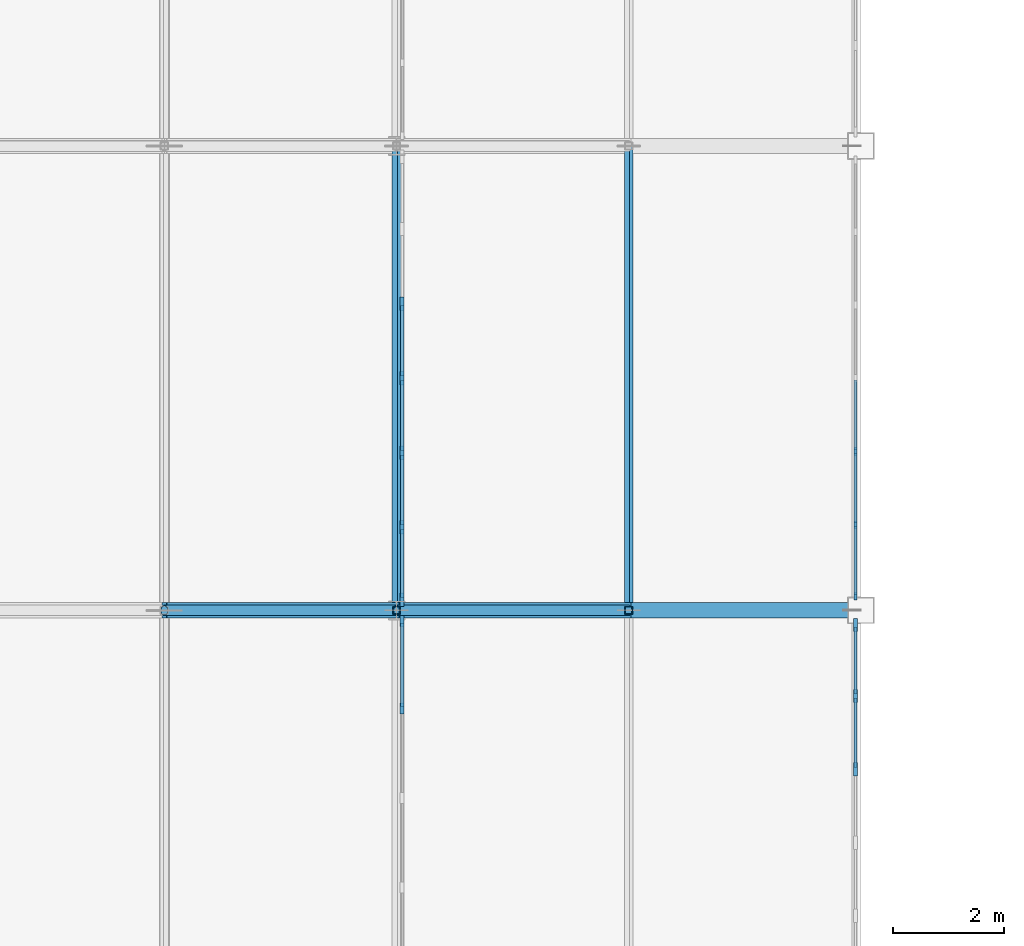
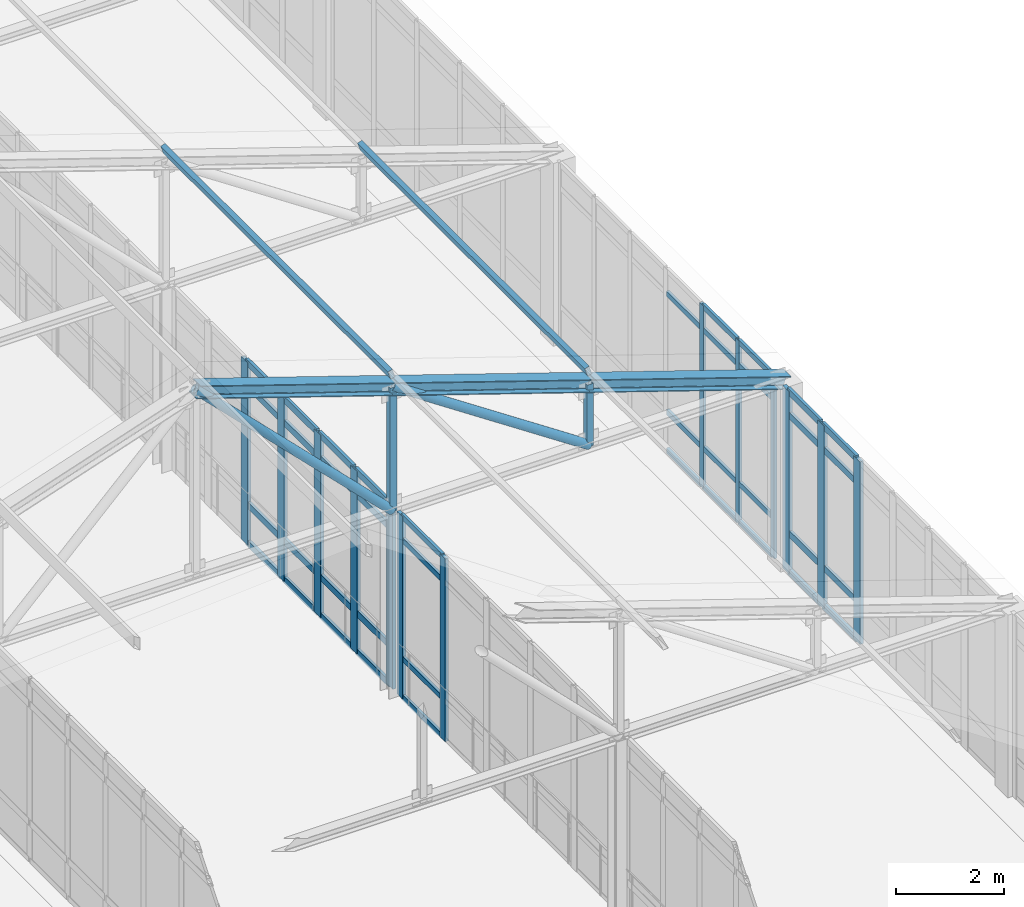
# One storey, part 65 of 192: 61 members, 4 elements without a shape of their own.
"""IFC4 building model written with IfcOpenShell, lengths in metres."""

import ifcopenshell
import ifcopenshell.guid

model = None  # the IFC model being written
_history = None  # IfcOwnerHistory: only IFC2X3 demands one
_inside = {}  # id of a spatial element -> (the spatial element, [elements in it])
_under = {}  # id of a project, library or spatial element -> (it, [spatial elements below it])
_declared = {}  # id of a project -> (the project, [libraries it declares])
_typed = {}  # id of a type object -> (the type object, [elements of that type])
_made_of = {}  # id of a material, layer set ... -> (it, [elements and type objects made of it])


def new_model(schema):
    """Start an empty IFC model of exactly this schema.

    Asked for "IFC4X3", IfcOpenShell would pick the latest addendum, in which some entities
    have other attributes; the version numbers below select the first issue.
    IFC2X3 requires an IfcOwnerHistory on every rooted entity: one is made here for all.
    """
    global model, _history
    if schema == "IFC4X3":
        model = ifcopenshell.file(schema_version=(4, 3, 0, 0))
    else:
        model = ifcopenshell.file(schema=schema)
    _inside.clear()
    _under.clear()
    _declared.clear()
    _typed.clear()
    _made_of.clear()
    _history = None
    if model.schema == "IFC2X3":
        org = make("IfcOrganization", Name="unknown")
        user = make(
            "IfcPersonAndOrganization",
            ThePerson=make("IfcPerson", FamilyName="unknown"),
            TheOrganization=org,
        )
        app = make(
            "IfcApplication",
            ApplicationDeveloper=org,
            Version="unknown",
            ApplicationFullName="unknown",
            ApplicationIdentifier="unknown",
        )
        _history = make(
            "IfcOwnerHistory",
            OwningUser=user,
            OwningApplication=app,
            ChangeAction="ADDED",
            CreationDate=0,
        )
    return model


def make(cls, **values):
    """One entity of the class cls with the attributes given. An attribute that is None is left unset."""
    return model.create_entity(
        cls, **{name: value for name, value in values.items() if value is not None}
    )


def rooted(cls, **values):
    """An entity with a GlobalId (a new one), such as an element, a storey or a relation."""
    return make(cls, GlobalId=ifcopenshell.guid.new(), OwnerHistory=_history, **values)


def si_unit(unit_type, name, prefix=None):
    """IfcSIUnit, for example si_unit("LENGTHUNIT", "METRE", prefix="MILLI")."""
    return make("IfcSIUnit", UnitType=unit_type, Prefix=prefix, Name=name)


def assignment(units):
    """IfcUnitAssignment: the units of a project."""
    return None if units is None else make("IfcUnitAssignment", Units=units)


def point(xyz):
    """IfcCartesianPoint."""
    return None if xyz is None else make("IfcCartesianPoint", Coordinates=xyz)


def direction(xyz):
    """IfcDirection."""
    return None if xyz is None else make("IfcDirection", DirectionRatios=xyz)


def frame(location, z_axis=None, x_axis=None):
    """IfcAxis2Placement3D, a coordinate frame: its origin and axes. An axis left out is left unset."""
    return make(
        "IfcAxis2Placement3D",
        Location=point(location),
        Axis=direction(z_axis),
        RefDirection=direction(x_axis),
    )


def frame_2d(location, x_axis=None):
    """IfcAxis2Placement2D, a coordinate frame in the plane: its origin and x axis."""
    return make(
        "IfcAxis2Placement2D", Location=point(location), RefDirection=direction(x_axis)
    )


def origin():
    """The frame at (0, 0, 0) with its axes left unset."""
    return frame((0.0, 0.0, 0.0))


def origin_2d():
    """The frame at (0, 0) in the plane with its x axis left unset."""
    return frame_2d((0.0, 0.0))


def place(relative_to, where):
    """IfcLocalPlacement: puts the frame where relative to a parent placement (None: the world)."""
    return make(
        "IfcLocalPlacement", PlacementRelTo=relative_to, RelativePlacement=where
    )


def context(
    kind, dimensions, precision=None, world=None, true_north=None, identifier=None
):
    """IfcGeometricRepresentationContext, for example the 3D "Model" context."""
    return make(
        "IfcGeometricRepresentationContext",
        ContextIdentifier=identifier,
        ContextType=kind,
        CoordinateSpaceDimension=dimensions,
        Precision=precision,
        WorldCoordinateSystem=world,
        TrueNorth=true_north,
    )


def subcontext(parent, identifier, kind, view, scale=None):
    """IfcGeometricRepresentationSubContext, for example "Body" below "Model"."""
    return make(
        "IfcGeometricRepresentationSubContext",
        ContextIdentifier=identifier,
        ContextType=kind,
        ParentContext=parent,
        TargetScale=scale,
        TargetView=view,
    )


def project(units=None, contexts=None):
    """IfcProject with its units and contexts."""
    return rooted(
        "IfcProject",
        Name="project",
        RepresentationContexts=contexts,
        UnitsInContext=assignment(units),
    )


def spatial(cls, under=None, at=None, **own):
    """A site, building, storey or space (cls), placed at a placement, below another one or the project."""
    s = rooted(cls, ObjectPlacement=at, **own)
    if under is not None:
        _under.setdefault(under.id(), (under, []))[1].append(s)
    return s


def profile(cls, at=None, kind="AREA", **sizes):
    """A parametric profile (cls). Its sizes go by their IFC names, for example OverallWidth=200.0."""
    return make(cls, ProfileType=kind, Position=at, **sizes)


def rectangle(**sizes):
    """IfcRectangleProfileDef."""
    return profile("IfcRectangleProfileDef", **sizes)


def hollow_rectangle(**sizes):
    """IfcRectangleHollowProfileDef."""
    return profile("IfcRectangleHollowProfileDef", **sizes)


def hollow_circle(**sizes):
    """IfcCircleHollowProfileDef."""
    return profile("IfcCircleHollowProfileDef", **sizes)


def i_section(**sizes):
    """IfcIShapeProfileDef."""
    return profile("IfcIShapeProfileDef", **sizes)


def extrude(swept, where, along, depth):
    """IfcExtrudedAreaSolid: the profile swept, set in the frame where, extruded along a direction by depth."""
    return make(
        "IfcExtrudedAreaSolid",
        SweptArea=swept,
        Position=where,
        ExtrudedDirection=direction(along),
        Depth=depth,
    )


def shape(context_of_items, identifier, shape_type, items):
    """IfcShapeRepresentation: the items that make up one representation, for example the "Body"."""
    return make(
        "IfcShapeRepresentation",
        ContextOfItems=context_of_items,
        RepresentationIdentifier=identifier,
        RepresentationType=shape_type,
        Items=items,
    )


def material(Name=None, Category=None):
    """IfcMaterial."""
    return make("IfcMaterial", Name=Name, Category=Category)


def layer(
    of_material, thickness, ventilated=None, Name=None, Category=None, Priority=None
):
    """IfcMaterialLayer: one layer of a wall or slab, of a material (None: an air gap)."""
    return make(
        "IfcMaterialLayer",
        Material=of_material,
        LayerThickness=thickness,
        IsVentilated=ventilated,
        Name=Name,
        Category=Category,
        Priority=Priority,
    )


def layer_set(layers, Name=None):
    """IfcMaterialLayerSet."""
    return make("IfcMaterialLayerSet", MaterialLayers=layers, LayerSetName=Name)


def material_profile(
    of_material, cross_section, Name=None, Category=None, Priority=None
):
    """IfcMaterialProfile: a cross section and its material."""
    return make(
        "IfcMaterialProfile",
        Name=Name,
        Material=of_material,
        Profile=cross_section,
        Priority=Priority,
        Category=Category,
    )


def profile_set(profiles, Name=None, composite=None):
    """IfcMaterialProfileSet."""
    return make(
        "IfcMaterialProfileSet",
        Name=Name,
        MaterialProfiles=profiles,
        CompositeProfile=composite,
    )


def made_of(thing, what):
    """Note that an element or type object is made of a material, layer set ...; save() writes the relation."""
    if what is not None:
        _made_of.setdefault(what.id(), (what, []))[1].append(thing)
    return thing


def type_object(cls, material=None, **own):
    """A type object (cls), such as IfcWallType, which elements share."""
    return made_of(rooted(cls, **own), material)


def element(
    cls,
    number,
    at=None,
    inside=None,
    cuts=None,
    type_object=None,
    material=None,
    context=None,
    identifier="Body",
    shape_type=None,
    held_by="IfcProductDefinitionShape",
    body=None,
    shapes=None,
    **own,
):
    """One element of the class cls, such as IfcWall. Its Tag is "e" and its number.

    at: its placement. inside: the storey or other place that contains it. cuts: it is an
    opening in that element (IfcRelVoidsElement). A single representation is given by context,
    identifier, shape_type and body (its items); several are given by shapes. held_by: the class
    of the entity that holds the representations. save() writes the other relations.
    """
    e = rooted(cls, Tag="e%d" % number, ObjectPlacement=at, **own)
    if body is not None:
        shapes = [shape(context, identifier, shape_type, body)]
    if shapes is not None:
        e.Representation = make(held_by, Representations=shapes)
    if inside is not None:
        _inside.setdefault(inside.id(), (inside, []))[1].append(e)
    if cuts is not None:
        rooted(
            "IfcRelVoidsElement", RelatingBuildingElement=cuts, RelatedOpeningElement=e
        )
    if type_object is not None:
        _typed.setdefault(type_object.id(), (type_object, []))[1].append(e)
    return made_of(e, material)


def aggregate(whole, parts):
    """IfcRelAggregates: a whole, such as a stair, and the parts it consists of."""
    return rooted("IfcRelAggregates", RelatingObject=whole, RelatedObjects=parts)


def save(model, path):
    """Write the relations noted so far, then the file.

    IfcRelAggregates (storeys below a building ...), IfcRelContainedInSpatialStructure (elements
    in a storey), IfcRelDefinesByType, IfcRelAssociatesMaterial and IfcRelDeclares: one each for
    every whole, place, type object, material and project.
    """
    for whole, parts in _under.values():
        aggregate(whole, parts)
    for where, things in _inside.values():
        rooted(
            "IfcRelContainedInSpatialStructure",
            RelatedElements=things,
            RelatingStructure=where,
        )
    for kind, things in _typed.values():
        rooted("IfcRelDefinesByType", RelatedObjects=things, RelatingType=kind)
    for what, things in _made_of.values():
        rooted("IfcRelAssociatesMaterial", RelatedObjects=things, RelatingMaterial=what)
    for by, libraries in _declared.values():
        rooted("IfcRelDeclares", RelatingContext=by, RelatedDefinitions=libraries)
    model.write(path)


model = new_model("IFC4")

# Units and contexts
model_context = context("Model", 3, precision=1e-05, world=origin(), true_north=direction((0.0, 1.0)))
body_context = subcontext(model_context, "Body", "Model", "MODEL_VIEW")
ifc_project = project(units=[si_unit("LENGTHUNIT", "METRE"), si_unit("AREAUNIT", "SQUARE_METRE"), si_unit("VOLUMEUNIT", "CUBIC_METRE"), si_unit("PLANEANGLEUNIT", "RADIAN"), si_unit("MASSUNIT", "GRAM", prefix="KILO")], contexts=[model_context])

# Site, building, storey
site_placement = place(None, origin())
site = spatial("IfcSite", under=ifc_project, at=site_placement, CompositionType="ELEMENT")
building_placement = place(site_placement, origin())
building = spatial("IfcBuilding", under=site, at=building_placement, Name="Kveldsbrygga Polytechnic", CompositionType="ELEMENT")
storey_placement = place(building_placement, frame((0.0, 0.0, 5.43994140625)))
storey = spatial("IfcBuildingStorey", under=building, at=storey_placement, Name="L01", CompositionType="ELEMENT", Elevation=5.43994140625)

# Curtain wall, members
ifc_material_1 = material(Name="Anodised aluminium AW-6060", Category="aluminium")
ifc_layer_1 = layer(ifc_material_1, 0.179931640625)
ifc_layer_set_1 = layer_set([ifc_layer_1], Name="Anodised aluminium AW-6060")
curtain_wall_type_1 = type_object("IfcCurtainWallType", Name="CW-CONC-A", PredefinedType="USERDEFINED", material=ifc_layer_set_1)
curtain_wall_1_placement = place(storey_placement, origin())
curtain_wall_1 = element("IfcCurtainWall", 1, at=curtain_wall_1_placement, inside=storey, type_object=curtain_wall_type_1, Name="Curtain Wall CW-L01-Y-09-05", ObjectType="UNITISED CURTAIN WALL", PredefinedType="USERDEFINED")
ifc_material_profile_1 = material_profile(ifc_material_1, rectangle(XDim=0.06005859375, YDim=0.139892578125, at=origin_2d()), Name="ALU 60x140")
ifc_profile_set_1 = profile_set([ifc_material_profile_1], Name="Anodised aluminium AW-6060")
member_type_1 = type_object("IfcMemberType", Name="CW-MUL-140", PredefinedType="MULLION", material=ifc_profile_set_1)
member_1_placement = place(storey_placement, frame((75.5, 42.2548828125, 0.0), z_axis=(0.0, 0.0, 1.0), x_axis=(-1.0, 0.0, 0.0)))
member_1 = element("IfcMember", 2, at=member_1_placement, type_object=member_type_1, Name="CW-01 mullion 1", PredefinedType="MULLION", context=body_context, shape_type="SweptSolid", body=[
    extrude(rectangle(XDim=0.06005859375, YDim=0.139892578125, at=origin_2d()), origin(), (0.0, 0.0, 1.0), 4.1201171875),
])
member_2_placement = place(storey_placement, frame((75.5, 43.550048828125, 0.0), z_axis=(0.0, 0.0, 1.0), x_axis=(-1.0, 0.0, 0.0)))
member_2 = element("IfcMember", 3, at=member_2_placement, type_object=member_type_1, Name="CW-01 mullion 2", PredefinedType="MULLION", context=body_context, shape_type="SweptSolid", body=[
    extrude(rectangle(XDim=0.06005859375, YDim=0.139892578125, at=origin_2d()), origin(), (0.0, 0.0, 1.0), 4.1201171875),
])
member_3_placement = place(storey_placement, frame((75.5, 44.875, 0.0), z_axis=(0.0, 0.0, 1.0), x_axis=(-1.0, 0.0, 0.0)))
member_3 = element("IfcMember", 4, at=member_3_placement, type_object=member_type_1, Name="CW-01 mullion 3", PredefinedType="MULLION", context=body_context, shape_type="SweptSolid", body=[
    extrude(rectangle(XDim=0.06005859375, YDim=0.139892578125, at=origin_2d()), origin(), (0.0, 0.0, 1.0), 4.1201171875),
])

ifc_layer_2 = layer(ifc_material_1, 0.18994140625)
ifc_layer_set_2 = layer_set([ifc_layer_2], Name="Anodised aluminium AW-6060")
curtain_wall_type_2 = type_object("IfcCurtainWallType", Name="CW-REFC-G", PredefinedType="USERDEFINED", material=ifc_layer_set_2)
curtain_wall_2_placement = place(storey_placement, origin())
curtain_wall_2 = element("IfcCurtainWall", 5, at=curtain_wall_2_placement, inside=storey, type_object=curtain_wall_type_2, Name="Curtain Wall CW-L01-Y-08-04", ObjectType="UNITISED CURTAIN WALL", PredefinedType="USERDEFINED")
ifc_material_profile_2 = material_profile(ifc_material_1, rectangle(XDim=0.074951171875, YDim=0.199951171875, at=origin_2d()), Name="ALU 75x200")
ifc_profile_set_2 = profile_set([ifc_material_profile_2], Name="Anodised aluminium AW-6060")
member_type_2 = type_object("IfcMemberType", Name="CW-MUL-200", PredefinedType="MULLION", material=ifc_profile_set_2)
member_4_placement = place(storey_placement, frame((67.300048828125, 40.22705078125, 0.0), z_axis=(0.0, 0.0, 1.0), x_axis=(-1.0, 0.0, 0.0)))
member_4 = element("IfcMember", 6, at=member_4_placement, type_object=member_type_2, Name="CW-07 mullion 5", PredefinedType="MULLION", context=body_context, shape_type="SweptSolid", body=[
    extrude(rectangle(XDim=0.074951171875, YDim=0.199951171875, at=origin_2d()), origin(), (0.0, 0.0, 1.0), 4.1201171875),
])
member_5_placement = place(storey_placement, frame((67.300048828125, 41.8076171875, 0.0), z_axis=(0.0, 0.0, 1.0), x_axis=(-1.0, 0.0, 0.0)))
member_5 = element("IfcMember", 7, at=member_5_placement, type_object=member_type_2, Name="CW-07 mullion 6", PredefinedType="MULLION", context=body_context, shape_type="SweptSolid", body=[
    extrude(rectangle(XDim=0.074951171875, YDim=0.199951171875, at=origin_2d()), origin(), (0.0, 0.0, 1.0), 4.1201171875),
])

ifc_layer_3 = layer(ifc_material_1, 0.2099609375)
ifc_layer_set_3 = layer_set([ifc_layer_3], Name="Anodised aluminium AW-6060")
curtain_wall_type_3 = type_object("IfcCurtainWallType", Name="CW-LIBR-H", PredefinedType="USERDEFINED", material=ifc_layer_set_3)
curtain_wall_3_placement = place(storey_placement, origin())
curtain_wall_3 = element("IfcCurtainWall", 8, at=curtain_wall_3_placement, inside=storey, type_object=curtain_wall_type_3, Name="Curtain Wall CW-L01-Y-09-04", ObjectType="UNITISED CURTAIN WALL", PredefinedType="USERDEFINED")
ifc_material_profile_3 = material_profile(ifc_material_1, rectangle(XDim=0.074951171875, YDim=0.239990234375, at=origin_2d()), Name="ALU 75x240")
ifc_profile_set_3 = profile_set([ifc_material_profile_3], Name="Anodised aluminium AW-6060")
member_type_3 = type_object("IfcMemberType", Name="CW-MUL-240", PredefinedType="MULLION", material=ifc_profile_set_3)
member_6_placement = place(storey_placement, frame((75.5, 39.125, 0.0), z_axis=(0.0, 0.0, 1.0), x_axis=(-1.0, 0.0, 0.0)))
member_6 = element("IfcMember", 9, at=member_6_placement, type_object=member_type_3, Name="CW-08 mullion 5", PredefinedType="MULLION", context=body_context, shape_type="SweptSolid", body=[
    extrude(rectangle(XDim=0.074951171875, YDim=0.239990234375, at=origin_2d()), origin(), (0.0, 0.0, 1.0), 4.1201171875),
])
member_7_placement = place(storey_placement, frame((75.5, 40.449951171875, 0.0), z_axis=(0.0, 0.0, 1.0), x_axis=(-1.0, 0.0, 0.0)))
member_7 = element("IfcMember", 10, at=member_7_placement, type_object=member_type_3, Name="CW-08 mullion 6", PredefinedType="MULLION", context=body_context, shape_type="SweptSolid", body=[
    extrude(rectangle(XDim=0.074951171875, YDim=0.239990234375, at=origin_2d()), origin(), (0.0, 0.0, 1.0), 4.1201171875),
])
member_8_placement = place(storey_placement, frame((75.5, 41.737548828125, 0.0), z_axis=(0.0, 0.0, 1.0), x_axis=(-1.0, 0.0, 0.0)))
member_8 = element("IfcMember", 11, at=member_8_placement, type_object=member_type_3, Name="CW-08 mullion 7", PredefinedType="MULLION", context=body_context, shape_type="SweptSolid", body=[
    extrude(rectangle(XDim=0.074951171875, YDim=0.239990234375, at=origin_2d()), origin(), (0.0, 0.0, 1.0), 4.1201171875),
])

curtain_wall_4_placement = place(storey_placement, origin())
curtain_wall_4 = element("IfcCurtainWall", 12, at=curtain_wall_4_placement, inside=storey, type_object=curtain_wall_type_3, Name="Curtain Wall CW-L01-Y-08-05", ObjectType="UNITISED CURTAIN WALL", PredefinedType="USERDEFINED")
member_9_placement = place(storey_placement, frame((67.300048828125, 42.1923828125, 0.0), z_axis=(0.0, 0.0, 1.0), x_axis=(-1.0, 0.0, 0.0)))
member_9 = element("IfcMember", 13, at=member_9_placement, type_object=member_type_3, Name="CW-08 mullion 1", PredefinedType="MULLION", context=body_context, shape_type="SweptSolid", body=[
    extrude(rectangle(XDim=0.074951171875, YDim=0.239990234375, at=origin_2d()), origin(), (0.0, 0.0, 1.0), 4.1201171875),
])
member_10_placement = place(storey_placement, frame((67.300048828125, 43.50341796875, 0.0), z_axis=(0.0, 0.0, 1.0), x_axis=(-1.0, 0.0, 0.0)))
member_10 = element("IfcMember", 14, at=member_10_placement, type_object=member_type_3, Name="CW-08 mullion 2", PredefinedType="MULLION", context=body_context, shape_type="SweptSolid", body=[
    extrude(rectangle(XDim=0.074951171875, YDim=0.239990234375, at=origin_2d()), origin(), (0.0, 0.0, 1.0), 4.1201171875),
])
member_11_placement = place(storey_placement, frame((67.300048828125, 44.8515625, 0.0), z_axis=(0.0, 0.0, 1.0), x_axis=(-1.0, 0.0, 0.0)))
member_11 = element("IfcMember", 15, at=member_11_placement, type_object=member_type_3, Name="CW-08 mullion 3", PredefinedType="MULLION", context=body_context, shape_type="SweptSolid", body=[
    extrude(rectangle(XDim=0.074951171875, YDim=0.239990234375, at=origin_2d()), origin(), (0.0, 0.0, 1.0), 4.1201171875),
])
member_12_placement = place(storey_placement, frame((67.300048828125, 46.199951171875, 0.0), z_axis=(0.0, 0.0, 1.0), x_axis=(-1.0, 0.0, 0.0)))
member_12 = element("IfcMember", 16, at=member_12_placement, type_object=member_type_3, Name="CW-08 mullion 4", PredefinedType="MULLION", context=body_context, shape_type="SweptSolid", body=[
    extrude(rectangle(XDim=0.074951171875, YDim=0.239990234375, at=origin_2d()), origin(), (0.0, 0.0, 1.0), 4.1201171875),
])
member_13_placement = place(storey_placement, frame((67.300048828125, 47.54833984375, 0.0), z_axis=(0.0, 0.0, 1.0), x_axis=(-1.0, 0.0, 0.0)))
member_13 = element("IfcMember", 17, at=member_13_placement, type_object=member_type_3, Name="CW-08 mullion 5", PredefinedType="MULLION", context=body_context, shape_type="SweptSolid", body=[
    extrude(rectangle(XDim=0.074951171875, YDim=0.239990234375, at=origin_2d()), origin(), (0.0, 0.0, 1.0), 4.1201171875),
])

# Member
ifc_material_profile_4 = material_profile(ifc_material_1, rectangle(XDim=0.06005859375, YDim=0.1201171875, at=origin_2d()), Name="ALU 60x120")
ifc_profile_set_4 = profile_set([ifc_material_profile_4], Name="Anodised aluminium AW-6060")
member_type_4 = type_object("IfcMemberType", Name="CW-TRN-120", PredefinedType="USERDEFINED", material=ifc_profile_set_4)
member_14_placement = place(storey_placement, frame((67.300048828125, 40.264404296875, 0.030029296875), z_axis=(0.0, 1.0, 0.0), x_axis=(-1.0, 0.0, 0.0)))
member_14 = element("IfcMember", 18, at=member_14_placement, type_object=member_type_4, Name="CW-07 transom 5.1", ObjectType="TRANSOM", PredefinedType="USERDEFINED", context=body_context, shape_type="SweptSolid", body=[
    extrude(rectangle(XDim=0.06005859375, YDim=0.1201171875, at=origin_2d()), origin(), (0.0, 0.0, 1.0), 1.505615234375),
])

member_15_placement = place(storey_placement, frame((67.300048828125, 40.264404296875, 0.900146484375), z_axis=(0.0, 1.0, 0.0), x_axis=(-1.0, 0.0, 0.0)))
member_15 = element("IfcMember", 19, at=member_15_placement, type_object=member_type_4, Name="CW-07 transom 5.2", ObjectType="TRANSOM", PredefinedType="USERDEFINED", context=body_context, shape_type="SweptSolid", body=[
    extrude(rectangle(XDim=0.06005859375, YDim=0.1201171875, at=origin_2d()), origin(), (0.0, 0.0, 1.0), 1.505615234375),
])

member_16_placement = place(storey_placement, frame((67.300048828125, 40.264404296875, 3.570068359375), z_axis=(0.0, 1.0, 0.0), x_axis=(-1.0, 0.0, 0.0)))
member_16 = element("IfcMember", 20, at=member_16_placement, type_object=member_type_4, Name="CW-07 transom 5.3", ObjectType="TRANSOM", PredefinedType="USERDEFINED", context=body_context, shape_type="SweptSolid", body=[
    extrude(rectangle(XDim=0.06005859375, YDim=0.1201171875, at=origin_2d()), origin(), (0.0, 0.0, 1.0), 1.505615234375),
])

member_17_placement = place(storey_placement, frame((67.300048828125, 40.264404296875, 4.090087890625), z_axis=(0.0, 1.0, 0.0), x_axis=(-1.0, 0.0, 0.0)))
member_17 = element("IfcMember", 21, at=member_17_placement, type_object=member_type_4, Name="CW-07 transom 5.4", ObjectType="TRANSOM", PredefinedType="USERDEFINED", context=body_context, shape_type="SweptSolid", body=[
    extrude(rectangle(XDim=0.06005859375, YDim=0.1201171875, at=origin_2d()), origin(), (0.0, 0.0, 1.0), 1.505615234375),
])

aggregate(curtain_wall_2, [member_4, member_5, member_14, member_15, member_16, member_17])

member_18_placement = place(storey_placement, frame((75.5, 42.284912109375, 0.030029296875), z_axis=(0.0, 1.0, 0.0), x_axis=(-1.0, 0.0, 0.0)))
member_18 = element("IfcMember", 22, at=member_18_placement, type_object=member_type_4, Name="CW-01 transom 1.1", ObjectType="TRANSOM", PredefinedType="USERDEFINED", context=body_context, shape_type="SweptSolid", body=[
    extrude(rectangle(XDim=0.06005859375, YDim=0.1201171875, at=origin_2d()), origin(), (0.0, 0.0, 1.0), 1.235107421875),
])

member_19_placement = place(storey_placement, frame((75.5, 42.284912109375, 0.900146484375), z_axis=(0.0, 1.0, 0.0), x_axis=(-1.0, 0.0, 0.0)))
member_19 = element("IfcMember", 23, at=member_19_placement, type_object=member_type_4, Name="CW-01 transom 1.2", ObjectType="TRANSOM", PredefinedType="USERDEFINED", context=body_context, shape_type="SweptSolid", body=[
    extrude(rectangle(XDim=0.06005859375, YDim=0.1201171875, at=origin_2d()), origin(), (0.0, 0.0, 1.0), 1.235107421875),
])

member_20_placement = place(storey_placement, frame((75.5, 42.284912109375, 3.570068359375), z_axis=(0.0, 1.0, 0.0), x_axis=(-1.0, 0.0, 0.0)))
member_20 = element("IfcMember", 24, at=member_20_placement, type_object=member_type_4, Name="CW-01 transom 1.3", ObjectType="TRANSOM", PredefinedType="USERDEFINED", context=body_context, shape_type="SweptSolid", body=[
    extrude(rectangle(XDim=0.06005859375, YDim=0.1201171875, at=origin_2d()), origin(), (0.0, 0.0, 1.0), 1.235107421875),
])

member_21_placement = place(storey_placement, frame((75.5, 42.284912109375, 4.090087890625), z_axis=(0.0, 1.0, 0.0), x_axis=(-1.0, 0.0, 0.0)))
member_21 = element("IfcMember", 25, at=member_21_placement, type_object=member_type_4, Name="CW-01 transom 1.4", ObjectType="TRANSOM", PredefinedType="USERDEFINED", context=body_context, shape_type="SweptSolid", body=[
    extrude(rectangle(XDim=0.06005859375, YDim=0.1201171875, at=origin_2d()), origin(), (0.0, 0.0, 1.0), 1.235107421875),
])

member_22_placement = place(storey_placement, frame((75.5, 43.580078125, 0.030029296875), z_axis=(0.0, 1.0, 0.0), x_axis=(-1.0, 0.0, 0.0)))
member_22 = element("IfcMember", 26, at=member_22_placement, type_object=member_type_4, Name="CW-01 transom 2.1", ObjectType="TRANSOM", PredefinedType="USERDEFINED", context=body_context, shape_type="SweptSolid", body=[
    extrude(rectangle(XDim=0.06005859375, YDim=0.1201171875, at=origin_2d()), origin(), (0.0, 0.0, 1.0), 1.264892578125),
])

member_23_placement = place(storey_placement, frame((75.5, 43.580078125, 0.900146484375), z_axis=(0.0, 1.0, 0.0), x_axis=(-1.0, 0.0, 0.0)))
member_23 = element("IfcMember", 27, at=member_23_placement, type_object=member_type_4, Name="CW-01 transom 2.2", ObjectType="TRANSOM", PredefinedType="USERDEFINED", context=body_context, shape_type="SweptSolid", body=[
    extrude(rectangle(XDim=0.06005859375, YDim=0.1201171875, at=origin_2d()), origin(), (0.0, 0.0, 1.0), 1.264892578125),
])

member_24_placement = place(storey_placement, frame((75.5, 43.580078125, 3.570068359375), z_axis=(0.0, 1.0, 0.0), x_axis=(-1.0, 0.0, 0.0)))
member_24 = element("IfcMember", 28, at=member_24_placement, type_object=member_type_4, Name="CW-01 transom 2.3", ObjectType="TRANSOM", PredefinedType="USERDEFINED", context=body_context, shape_type="SweptSolid", body=[
    extrude(rectangle(XDim=0.06005859375, YDim=0.1201171875, at=origin_2d()), origin(), (0.0, 0.0, 1.0), 1.264892578125),
])

member_25_placement = place(storey_placement, frame((75.5, 43.580078125, 4.090087890625), z_axis=(0.0, 1.0, 0.0), x_axis=(-1.0, 0.0, 0.0)))
member_25 = element("IfcMember", 29, at=member_25_placement, type_object=member_type_4, Name="CW-01 transom 2.4", ObjectType="TRANSOM", PredefinedType="USERDEFINED", context=body_context, shape_type="SweptSolid", body=[
    extrude(rectangle(XDim=0.06005859375, YDim=0.1201171875, at=origin_2d()), origin(), (0.0, 0.0, 1.0), 1.264892578125),
])

member_26_placement = place(storey_placement, frame((75.5, 44.905029296875, 0.030029296875), z_axis=(0.0, 1.0, 0.0), x_axis=(-1.0, 0.0, 0.0)))
member_26 = element("IfcMember", 30, at=member_26_placement, type_object=member_type_4, Name="CW-01 transom 3.1", ObjectType="TRANSOM", PredefinedType="USERDEFINED", context=body_context, shape_type="SweptSolid", body=[
    extrude(rectangle(XDim=0.06005859375, YDim=0.1201171875, at=origin_2d()), origin(), (0.0, 0.0, 1.0), 1.264892578125),
])

member_27_placement = place(storey_placement, frame((75.5, 44.905029296875, 0.900146484375), z_axis=(0.0, 1.0, 0.0), x_axis=(-1.0, 0.0, 0.0)))
member_27 = element("IfcMember", 31, at=member_27_placement, type_object=member_type_4, Name="CW-01 transom 3.2", ObjectType="TRANSOM", PredefinedType="USERDEFINED", context=body_context, shape_type="SweptSolid", body=[
    extrude(rectangle(XDim=0.06005859375, YDim=0.1201171875, at=origin_2d()), origin(), (0.0, 0.0, 1.0), 1.264892578125),
])

member_28_placement = place(storey_placement, frame((75.5, 44.905029296875, 3.570068359375), z_axis=(0.0, 1.0, 0.0), x_axis=(-1.0, 0.0, 0.0)))
member_28 = element("IfcMember", 32, at=member_28_placement, type_object=member_type_4, Name="CW-01 transom 3.3", ObjectType="TRANSOM", PredefinedType="USERDEFINED", context=body_context, shape_type="SweptSolid", body=[
    extrude(rectangle(XDim=0.06005859375, YDim=0.1201171875, at=origin_2d()), origin(), (0.0, 0.0, 1.0), 1.264892578125),
])

aggregate(curtain_wall_1, [member_1, member_2, member_3, member_18, member_19, member_20, member_21, member_22, member_23, member_24, member_25, member_26, member_27, member_28])

ifc_material_profile_5 = material_profile(ifc_material_1, rectangle(XDim=0.06005859375, YDim=0.14990234375, at=origin_2d()), Name="ALU 60x150")
ifc_profile_set_5 = profile_set([ifc_material_profile_5], Name="Anodised aluminium AW-6060")
member_type_5 = type_object("IfcMemberType", Name="CW-TRN-150", PredefinedType="USERDEFINED", material=ifc_profile_set_5)
member_29_placement = place(storey_placement, frame((75.5, 39.16259765625, 0.030029296875), z_axis=(0.0, 1.0, 0.0), x_axis=(-1.0, 0.0, 0.0)))
member_29 = element("IfcMember", 33, at=member_29_placement, type_object=member_type_5, Name="CW-08 transom 5.1", ObjectType="TRANSOM", PredefinedType="USERDEFINED", context=body_context, shape_type="SweptSolid", body=[
    extrude(rectangle(XDim=0.06005859375, YDim=0.14990234375, at=origin_2d()), origin(), (0.0, 0.0, 1.0), 1.25),
])

member_30_placement = place(storey_placement, frame((75.5, 39.16259765625, 0.900146484375), z_axis=(0.0, 1.0, 0.0), x_axis=(-1.0, 0.0, 0.0)))
member_30 = element("IfcMember", 34, at=member_30_placement, type_object=member_type_5, Name="CW-08 transom 5.2", ObjectType="TRANSOM", PredefinedType="USERDEFINED", context=body_context, shape_type="SweptSolid", body=[
    extrude(rectangle(XDim=0.06005859375, YDim=0.14990234375, at=origin_2d()), origin(), (0.0, 0.0, 1.0), 1.25),
])

member_31_placement = place(storey_placement, frame((75.5, 39.16259765625, 3.570068359375), z_axis=(0.0, 1.0, 0.0), x_axis=(-1.0, 0.0, 0.0)))
member_31 = element("IfcMember", 35, at=member_31_placement, type_object=member_type_5, Name="CW-08 transom 5.3", ObjectType="TRANSOM", PredefinedType="USERDEFINED", context=body_context, shape_type="SweptSolid", body=[
    extrude(rectangle(XDim=0.06005859375, YDim=0.14990234375, at=origin_2d()), origin(), (0.0, 0.0, 1.0), 1.25),
])

member_32_placement = place(storey_placement, frame((75.5, 39.16259765625, 4.090087890625), z_axis=(0.0, 1.0, 0.0), x_axis=(-1.0, 0.0, 0.0)))
member_32 = element("IfcMember", 36, at=member_32_placement, type_object=member_type_5, Name="CW-08 transom 5.4", ObjectType="TRANSOM", PredefinedType="USERDEFINED", context=body_context, shape_type="SweptSolid", body=[
    extrude(rectangle(XDim=0.06005859375, YDim=0.14990234375, at=origin_2d()), origin(), (0.0, 0.0, 1.0), 1.25),
])

member_33_placement = place(storey_placement, frame((75.5, 40.487548828125, 0.030029296875), z_axis=(0.0, 1.0, 0.0), x_axis=(-1.0, 0.0, 0.0)))
member_33 = element("IfcMember", 37, at=member_33_placement, type_object=member_type_5, Name="CW-08 transom 6.1", ObjectType="TRANSOM", PredefinedType="USERDEFINED", context=body_context, shape_type="SweptSolid", body=[
    extrude(rectangle(XDim=0.06005859375, YDim=0.14990234375, at=origin_2d()), origin(), (0.0, 0.0, 1.0), 1.21240234375),
])

member_34_placement = place(storey_placement, frame((75.5, 40.487548828125, 0.900146484375), z_axis=(0.0, 1.0, 0.0), x_axis=(-1.0, 0.0, 0.0)))
member_34 = element("IfcMember", 38, at=member_34_placement, type_object=member_type_5, Name="CW-08 transom 6.2", ObjectType="TRANSOM", PredefinedType="USERDEFINED", context=body_context, shape_type="SweptSolid", body=[
    extrude(rectangle(XDim=0.06005859375, YDim=0.14990234375, at=origin_2d()), origin(), (0.0, 0.0, 1.0), 1.21240234375),
])

member_35_placement = place(storey_placement, frame((75.5, 40.487548828125, 3.570068359375), z_axis=(0.0, 1.0, 0.0), x_axis=(-1.0, 0.0, 0.0)))
member_35 = element("IfcMember", 39, at=member_35_placement, type_object=member_type_5, Name="CW-08 transom 6.3", ObjectType="TRANSOM", PredefinedType="USERDEFINED", context=body_context, shape_type="SweptSolid", body=[
    extrude(rectangle(XDim=0.06005859375, YDim=0.14990234375, at=origin_2d()), origin(), (0.0, 0.0, 1.0), 1.21240234375),
])

member_36_placement = place(storey_placement, frame((75.5, 40.487548828125, 4.090087890625), z_axis=(0.0, 1.0, 0.0), x_axis=(-1.0, 0.0, 0.0)))
member_36 = element("IfcMember", 40, at=member_36_placement, type_object=member_type_5, Name="CW-08 transom 6.4", ObjectType="TRANSOM", PredefinedType="USERDEFINED", context=body_context, shape_type="SweptSolid", body=[
    extrude(rectangle(XDim=0.06005859375, YDim=0.14990234375, at=origin_2d()), origin(), (0.0, 0.0, 1.0), 1.21240234375),
])

aggregate(curtain_wall_3, [member_6, member_7, member_8, member_29, member_30, member_31, member_32, member_33, member_34, member_35, member_36])

member_37_placement = place(storey_placement, frame((67.300048828125, 42.22998046875, 0.030029296875), z_axis=(0.0, 1.0, 0.0), x_axis=(-1.0, 0.0, 0.0)))
member_37 = element("IfcMember", 41, at=member_37_placement, type_object=member_type_5, Name="CW-08 transom 1.1", ObjectType="TRANSOM", PredefinedType="USERDEFINED", context=body_context, shape_type="SweptSolid", body=[
    extrude(rectangle(XDim=0.06005859375, YDim=0.14990234375, at=origin_2d()), origin(), (0.0, 0.0, 1.0), 1.23583984375),
])

member_38_placement = place(storey_placement, frame((67.300048828125, 42.22998046875, 0.900146484375), z_axis=(0.0, 1.0, 0.0), x_axis=(-1.0, 0.0, 0.0)))
member_38 = element("IfcMember", 42, at=member_38_placement, type_object=member_type_5, Name="CW-08 transom 1.2", ObjectType="TRANSOM", PredefinedType="USERDEFINED", context=body_context, shape_type="SweptSolid", body=[
    extrude(rectangle(XDim=0.06005859375, YDim=0.14990234375, at=origin_2d()), origin(), (0.0, 0.0, 1.0), 1.23583984375),
])

member_39_placement = place(storey_placement, frame((67.300048828125, 42.22998046875, 3.570068359375), z_axis=(0.0, 1.0, 0.0), x_axis=(-1.0, 0.0, 0.0)))
member_39 = element("IfcMember", 43, at=member_39_placement, type_object=member_type_5, Name="CW-08 transom 1.3", ObjectType="TRANSOM", PredefinedType="USERDEFINED", context=body_context, shape_type="SweptSolid", body=[
    extrude(rectangle(XDim=0.06005859375, YDim=0.14990234375, at=origin_2d()), origin(), (0.0, 0.0, 1.0), 1.23583984375),
])

member_40_placement = place(storey_placement, frame((67.300048828125, 42.22998046875, 4.090087890625), z_axis=(0.0, 1.0, 0.0), x_axis=(-1.0, 0.0, 0.0)))
member_40 = element("IfcMember", 44, at=member_40_placement, type_object=member_type_5, Name="CW-08 transom 1.4", ObjectType="TRANSOM", PredefinedType="USERDEFINED", context=body_context, shape_type="SweptSolid", body=[
    extrude(rectangle(XDim=0.06005859375, YDim=0.14990234375, at=origin_2d()), origin(), (0.0, 0.0, 1.0), 1.23583984375),
])

member_41_placement = place(storey_placement, frame((67.300048828125, 43.540771484375, 0.030029296875), z_axis=(0.0, 1.0, 0.0), x_axis=(-1.0, 0.0, 0.0)))
member_41 = element("IfcMember", 45, at=member_41_placement, type_object=member_type_5, Name="CW-08 transom 2.1", ObjectType="TRANSOM", PredefinedType="USERDEFINED", context=body_context, shape_type="SweptSolid", body=[
    extrude(rectangle(XDim=0.06005859375, YDim=0.14990234375, at=origin_2d()), origin(), (0.0, 0.0, 1.0), 1.2734375),
])

member_42_placement = place(storey_placement, frame((67.300048828125, 43.540771484375, 0.900146484375), z_axis=(0.0, 1.0, 0.0), x_axis=(-1.0, 0.0, 0.0)))
member_42 = element("IfcMember", 46, at=member_42_placement, type_object=member_type_5, Name="CW-08 transom 2.2", ObjectType="TRANSOM", PredefinedType="USERDEFINED", context=body_context, shape_type="SweptSolid", body=[
    extrude(rectangle(XDim=0.06005859375, YDim=0.14990234375, at=origin_2d()), origin(), (0.0, 0.0, 1.0), 1.2734375),
])

member_43_placement = place(storey_placement, frame((67.300048828125, 43.540771484375, 3.570068359375), z_axis=(0.0, 1.0, 0.0), x_axis=(-1.0, 0.0, 0.0)))
member_43 = element("IfcMember", 47, at=member_43_placement, type_object=member_type_5, Name="CW-08 transom 2.3", ObjectType="TRANSOM", PredefinedType="USERDEFINED", context=body_context, shape_type="SweptSolid", body=[
    extrude(rectangle(XDim=0.06005859375, YDim=0.14990234375, at=origin_2d()), origin(), (0.0, 0.0, 1.0), 1.2734375),
])

member_44_placement = place(storey_placement, frame((67.300048828125, 43.540771484375, 4.090087890625), z_axis=(0.0, 1.0, 0.0), x_axis=(-1.0, 0.0, 0.0)))
member_44 = element("IfcMember", 48, at=member_44_placement, type_object=member_type_5, Name="CW-08 transom 2.4", ObjectType="TRANSOM", PredefinedType="USERDEFINED", context=body_context, shape_type="SweptSolid", body=[
    extrude(rectangle(XDim=0.06005859375, YDim=0.14990234375, at=origin_2d()), origin(), (0.0, 0.0, 1.0), 1.2734375),
])

member_45_placement = place(storey_placement, frame((67.300048828125, 44.88916015625, 0.030029296875), z_axis=(0.0, 1.0, 0.0), x_axis=(-1.0, 0.0, 0.0)))
member_45 = element("IfcMember", 49, at=member_45_placement, type_object=member_type_5, Name="CW-08 transom 3.1", ObjectType="TRANSOM", PredefinedType="USERDEFINED", context=body_context, shape_type="SweptSolid", body=[
    extrude(rectangle(XDim=0.06005859375, YDim=0.14990234375, at=origin_2d()), origin(), (0.0, 0.0, 1.0), 1.2734375),
])

member_46_placement = place(storey_placement, frame((67.300048828125, 44.88916015625, 0.900146484375), z_axis=(0.0, 1.0, 0.0), x_axis=(-1.0, 0.0, 0.0)))
member_46 = element("IfcMember", 50, at=member_46_placement, type_object=member_type_5, Name="CW-08 transom 3.2", ObjectType="TRANSOM", PredefinedType="USERDEFINED", context=body_context, shape_type="SweptSolid", body=[
    extrude(rectangle(XDim=0.06005859375, YDim=0.14990234375, at=origin_2d()), origin(), (0.0, 0.0, 1.0), 1.2734375),
])

member_47_placement = place(storey_placement, frame((67.300048828125, 44.88916015625, 3.570068359375), z_axis=(0.0, 1.0, 0.0), x_axis=(-1.0, 0.0, 0.0)))
member_47 = element("IfcMember", 51, at=member_47_placement, type_object=member_type_5, Name="CW-08 transom 3.3", ObjectType="TRANSOM", PredefinedType="USERDEFINED", context=body_context, shape_type="SweptSolid", body=[
    extrude(rectangle(XDim=0.06005859375, YDim=0.14990234375, at=origin_2d()), origin(), (0.0, 0.0, 1.0), 1.2734375),
])

member_48_placement = place(storey_placement, frame((67.300048828125, 44.88916015625, 4.090087890625), z_axis=(0.0, 1.0, 0.0), x_axis=(-1.0, 0.0, 0.0)))
member_48 = element("IfcMember", 52, at=member_48_placement, type_object=member_type_5, Name="CW-08 transom 3.4", ObjectType="TRANSOM", PredefinedType="USERDEFINED", context=body_context, shape_type="SweptSolid", body=[
    extrude(rectangle(XDim=0.06005859375, YDim=0.14990234375, at=origin_2d()), origin(), (0.0, 0.0, 1.0), 1.2734375),
])

member_49_placement = place(storey_placement, frame((67.300048828125, 46.237548828125, 0.030029296875), z_axis=(0.0, 1.0, 0.0), x_axis=(-1.0, 0.0, 0.0)))
member_49 = element("IfcMember", 53, at=member_49_placement, type_object=member_type_5, Name="CW-08 transom 4.1", ObjectType="TRANSOM", PredefinedType="USERDEFINED", context=body_context, shape_type="SweptSolid", body=[
    extrude(rectangle(XDim=0.06005859375, YDim=0.14990234375, at=origin_2d()), origin(), (0.0, 0.0, 1.0), 1.273193359375),
])

member_50_placement = place(storey_placement, frame((67.300048828125, 46.237548828125, 0.900146484375), z_axis=(0.0, 1.0, 0.0), x_axis=(-1.0, 0.0, 0.0)))
member_50 = element("IfcMember", 54, at=member_50_placement, type_object=member_type_5, Name="CW-08 transom 4.2", ObjectType="TRANSOM", PredefinedType="USERDEFINED", context=body_context, shape_type="SweptSolid", body=[
    extrude(rectangle(XDim=0.06005859375, YDim=0.14990234375, at=origin_2d()), origin(), (0.0, 0.0, 1.0), 1.273193359375),
])

member_51_placement = place(storey_placement, frame((67.300048828125, 46.237548828125, 3.570068359375), z_axis=(0.0, 1.0, 0.0), x_axis=(-1.0, 0.0, 0.0)))
member_51 = element("IfcMember", 55, at=member_51_placement, type_object=member_type_5, Name="CW-08 transom 4.3", ObjectType="TRANSOM", PredefinedType="USERDEFINED", context=body_context, shape_type="SweptSolid", body=[
    extrude(rectangle(XDim=0.06005859375, YDim=0.14990234375, at=origin_2d()), origin(), (0.0, 0.0, 1.0), 1.273193359375),
])

member_52_placement = place(storey_placement, frame((67.300048828125, 46.237548828125, 4.090087890625), z_axis=(0.0, 1.0, 0.0), x_axis=(-1.0, 0.0, 0.0)))
member_52 = element("IfcMember", 56, at=member_52_placement, type_object=member_type_5, Name="CW-08 transom 4.4", ObjectType="TRANSOM", PredefinedType="USERDEFINED", context=body_context, shape_type="SweptSolid", body=[
    extrude(rectangle(XDim=0.06005859375, YDim=0.14990234375, at=origin_2d()), origin(), (0.0, 0.0, 1.0), 1.273193359375),
])

aggregate(curtain_wall_4, [member_9, member_10, member_11, member_12, member_13, member_37, member_38, member_39, member_40, member_41, member_42, member_43, member_44, member_45, member_46, member_47, member_48, member_49, member_50, member_51, member_52])

# Members
ifc_material_2 = material(Name="Steel S355", Category="steel")
ifc_material_profile_6 = material_profile(ifc_material_2, hollow_rectangle(XDim=0.10009765625, YDim=0.199951171875, WallThickness=0.010009765625, at=origin_2d()), Name="RHS 200x100x10.0")
ifc_profile_set_6 = profile_set([ifc_material_profile_6], Name="Steel S355")
member_type_6 = type_object("IfcMemberType", Name="PRL-RHS200", PredefinedType="PURLIN", material=ifc_profile_set_6)
for number, where, z_axis, x_axis, name in (
    (57, (67.199951171875, 42.0, 7.173095703125), (0.0, 1.0, 0.0), (-0.948683567514, 0.0, -0.316226957624), "Roof Purlin V5C-PRL-5-4"),
    (58, (71.39990234375, 42.0, 5.77294921875), (0.0, 1.0, 0.0), (-0.948683567514, 0.0, -0.316226957624), "Roof Purlin V5C-PRL-5-5"),
):
    element("IfcMember", number, at=place(storey_placement, frame(where, z_axis=z_axis, x_axis=x_axis)), inside=storey, type_object=member_type_6, Name=name, PredefinedType="PURLIN", context=body_context, shape_type="SweptSolid", body=[
        extrude(hollow_rectangle(XDim=0.10009765625, YDim=0.199951171875, WallThickness=0.010009765625, at=origin_2d()), origin(), (0.0, 0.0, 1.0), 8.39990234375),
    ])
ifc_material_profile_7 = material_profile(ifc_material_2, hollow_circle(Radius=0.096923828125, WallThickness=0.010009765625, at=origin_2d()), Name="CHS 193.7x10.0")
ifc_profile_set_7 = profile_set([ifc_material_profile_7], Name="Steel S355")
member_type_7 = type_object("IfcMemberType", Name="TR-DIAG-CHS194", PredefinedType="BRACE", material=ifc_profile_set_7)
member_53_placement = place(storey_placement, frame((63.0, 42.0, 8.320068359375), z_axis=(0.707106781187, 0.0, -0.707106781187), x_axis=(0.0, 1.0, 0.0)))
element("IfcMember", 59, at=member_53_placement, inside=storey, type_object=member_type_7, Name="Truss Diagonal V5C-T05-DG-4", PredefinedType="BRACE", context=body_context, shape_type="SweptSolid", body=[
    extrude(hollow_circle(Radius=0.096923828125, WallThickness=0.010009765625, at=origin_2d()), origin(), (0.0, 0.0, 1.0), 5.939697265625),
])
member_54_placement = place(storey_placement, frame((67.199951171875, 42.0, 6.920166015625), z_axis=(0.832042853317, 0.0, -0.554711357594), x_axis=(0.0, 1.0, 0.0)))
element("IfcMember", 60, at=member_54_placement, inside=storey, type_object=member_type_7, Name="Truss Diagonal V5C-T05-DG-5", PredefinedType="BRACE", context=body_context, shape_type="SweptSolid", body=[
    extrude(hollow_circle(Radius=0.096923828125, WallThickness=0.010009765625, at=origin_2d()), origin(), (0.0, 0.0, 1.0), 5.0478515625),
])
ifc_material_profile_8 = material_profile(ifc_material_2, hollow_rectangle(XDim=0.139892578125, YDim=0.139892578125, WallThickness=0.008056640625, at=origin_2d()), Name="SHS 140x140x8.0")
ifc_profile_set_8 = profile_set([ifc_material_profile_8], Name="Steel S355")
member_type_8 = type_object("IfcMemberType", Name="TR-POST-SHS140", PredefinedType="STRUT", material=ifc_profile_set_8)
member_55_placement = place(storey_placement, frame((67.199951171875, 42.0, 4.1201171875), z_axis=(0.0, 0.0, 1.0), x_axis=(1.0, 0.0, 0.0)))
element("IfcMember", 61, at=member_55_placement, inside=storey, type_object=member_type_8, Name="Truss Vertical V5C-T05-VT-4", PredefinedType="STRUT", context=body_context, shape_type="SweptSolid", body=[
    extrude(hollow_rectangle(XDim=0.139892578125, YDim=0.139892578125, WallThickness=0.008056640625, at=origin_2d()), origin(), (0.0, 0.0, 1.0), 2.800048828125),
])
member_56_placement = place(storey_placement, frame((71.39990234375, 42.0, 4.1201171875), z_axis=(0.0, 0.0, 1.0), x_axis=(1.0, 0.0, 0.0)))
element("IfcMember", 62, at=member_56_placement, inside=storey, type_object=member_type_8, Name="Truss Vertical V5C-T05-VT-5", PredefinedType="STRUT", context=body_context, shape_type="SweptSolid", body=[
    extrude(hollow_rectangle(XDim=0.139892578125, YDim=0.139892578125, WallThickness=0.008056640625, at=origin_2d()), origin(), (0.0, 0.0, 1.0), 1.39990234375),
])
ifc_material_profile_9 = material_profile(ifc_material_2, i_section(OverallWidth=0.280029296875, OverallDepth=0.280029296875, WebThickness=0.010498046875, FlangeThickness=0.01806640625, FilletRadius=0.02392578125, at=origin_2d()), Name="HEB 280")
ifc_profile_set_9 = profile_set([ifc_material_profile_9], Name="Steel S355")
member_type_9 = type_object("IfcMemberType", Name="TR-TOP-HEB280", PredefinedType="CHORD", material=ifc_profile_set_9)
member_57_placement = place(storey_placement, frame((63.0, 42.0, 8.320068359375), z_axis=(0.948688812577, 0.0, -0.316211221956), x_axis=(0.0, 1.0, 0.0)))
element("IfcMember", 63, at=member_57_placement, inside=storey, type_object=member_type_9, Name="Truss Top Chord V5C-T05-TC-4", PredefinedType="CHORD", context=body_context, shape_type="SweptSolid", body=[
    extrude(i_section(OverallWidth=0.280029296875, OverallDepth=0.280029296875, WebThickness=0.010498046875, FlangeThickness=0.01806640625, FilletRadius=0.02392578125, at=origin_2d()), origin(), (0.0, 0.0, 1.0), 4.427001953125),
])
for number, where, z_axis, x_axis, name in (
    (64, (67.199951171875, 42.0, 6.920166015625), (0.948672268324, 0.0, -0.316260853272), (0.0, 1.0, 0.0), "Truss Top Chord V5C-T05-TC-5"),
    (65, (71.39990234375, 42.0, 5.52001953125), (0.948694326238, 0.0, -0.316194679531), (0.0, 1.0, 0.0), "Truss Top Chord V5C-T05-TC-6"),
):
    element("IfcMember", number, at=place(storey_placement, frame(where, z_axis=z_axis, x_axis=x_axis)), inside=storey, type_object=member_type_9, Name=name, PredefinedType="CHORD", context=body_context, shape_type="SweptSolid", body=[
        extrude(i_section(OverallWidth=0.280029296875, OverallDepth=0.280029296875, WebThickness=0.010498046875, FlangeThickness=0.01806640625, FilletRadius=0.02392578125, at=origin_2d()), origin(), (0.0, 0.0, 1.0), 4.42724609375),
    ])

save(model, "model.ifc")
